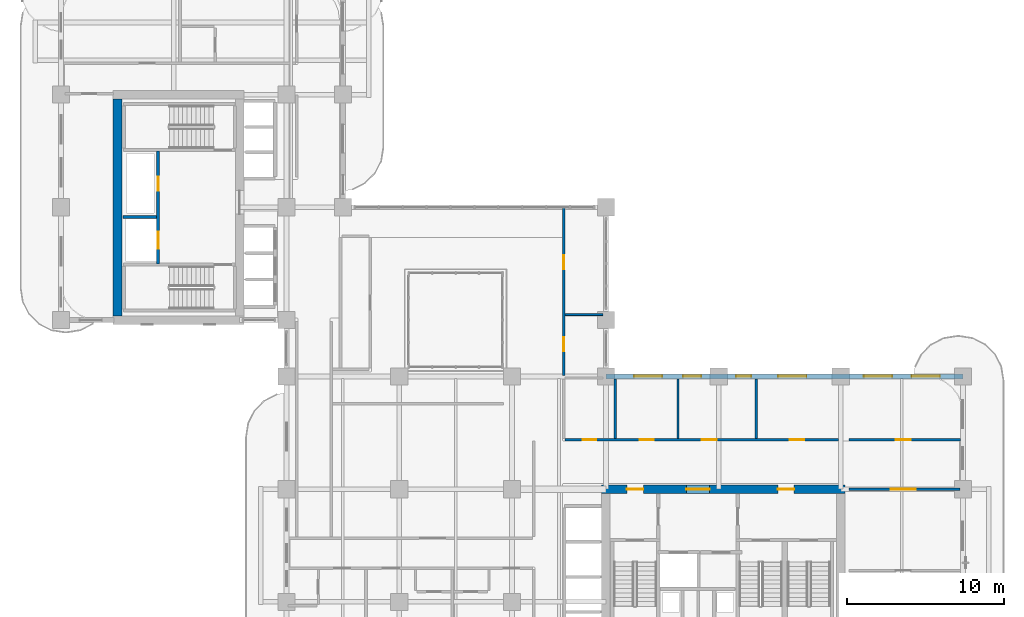
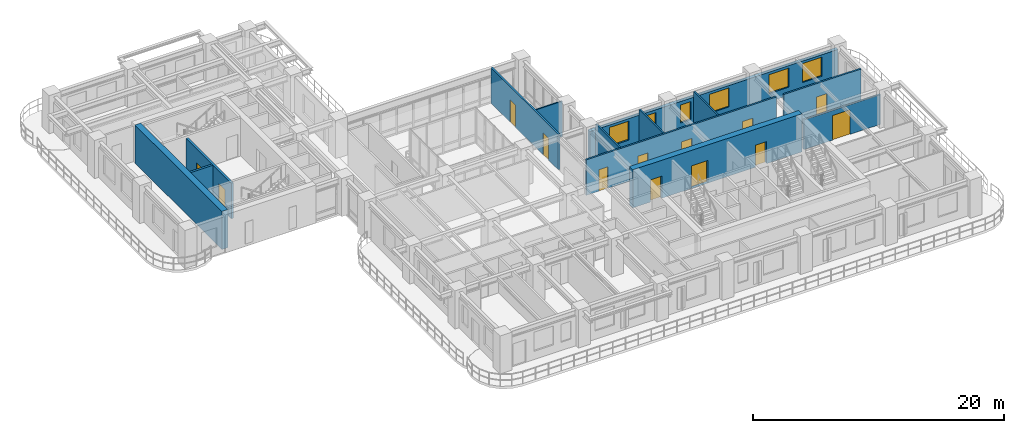
# One storey, part 15 of 22: 13 doors, 13 walls, 6 windows, 19 openings.
"""IFC4 building model written with IfcOpenShell, lengths in metres."""

from ifc_helpers import new_model, si_unit, derived_unit, direction, frame, frame_2d, origin, place, context, subcontext, project, spatial, rectangle, extrude, source, transform, mapped, material, layer, layer_set, type_object, type_shapes, element, fill, save


model = new_model("IFC4")

# Units and contexts
model_context = context("Model", 3, precision=1e-05, world=origin(), true_north=direction((0.0, 1.0)))
body_context = subcontext(model_context, "Body", "Model", "MODEL_VIEW")
ifc_project = project(units=[si_unit("LENGTHUNIT", "METRE"), si_unit("AREAUNIT", "SQUARE_METRE"), si_unit("VOLUMEUNIT", "CUBIC_METRE"), si_unit("PLANEANGLEUNIT", "RADIAN"), si_unit("MASSUNIT", "GRAM", prefix="KILO"), si_unit("THERMODYNAMICTEMPERATUREUNIT", "KELVIN"), si_unit("POWERUNIT", "WATT"), derived_unit("THERMALTRANSMITTANCEUNIT", [(si_unit("POWERUNIT", "WATT"), 1), (si_unit("AREAUNIT", "SQUARE_METRE"), -1), (si_unit("THERMODYNAMICTEMPERATUREUNIT", "KELVIN"), -1)])], contexts=[model_context])

# Site, building, storey
site_placement = place(None, origin())
site = spatial("IfcSite", under=ifc_project, at=site_placement, CompositionType="ELEMENT")
building_placement = place(site_placement, origin())
building = spatial("IfcBuilding", under=site, at=building_placement, Name="Zahravan Archway Hotel and Residences", CompositionType="ELEMENT")
storey_placement = place(building_placement, frame((0.0, 0.0, 76.800048828125)))
storey = spatial("IfcBuildingStorey", under=building, at=storey_placement, Name="L18", CompositionType="ELEMENT", Elevation=76.800048828125)

# Wall, openings, doors
ifc_material_1 = material(Name="Concrete C70/85", Category="concrete")
ifc_layer_1 = layer(ifc_material_1, 0.550048828125, Name="Concrete C70/85", Category="concrete")
ifc_layer_set_1 = layer_set([ifc_layer_1], Name="Concrete C70/85")
wall_type_1 = type_object("IfcWallType", Name="CW-CORE-550", PredefinedType="SHEAR", material=ifc_layer_set_1)
wall_1_placement = place(storey_placement, frame((34.52490234375, 14.39990234375, 0.0), z_axis=(0.0, 0.0, 1.0), x_axis=(1.0, 0.0, 0.0)))
wall_1 = element("IfcWall", 1, at=wall_1_placement, inside=storey, type_object=wall_type_1, Name="L18 Core A Shear N Wall 550 mm", PredefinedType="SHEAR", context=body_context, shape_type="SweptSolid", body=[
    extrude(rectangle(XDim=15.550048828125, YDim=0.550048828125, at=frame_2d((7.77490234375, 0.0))), origin(), (0.0, 0.0, 1.0), 3.699951171875),
])
opening_1_placement = place(wall_1_placement, frame((5.405029296875, 0.0, 0.0)))
opening_1 = element("IfcOpeningElement", 2, at=opening_1_placement, cuts=wall_1, Name="Opening FD-L1", PredefinedType="OPENING", context=body_context, shape_type="SweptSolid", body=[
    extrude(rectangle(XDim=1.5, YDim=2.199951171875, at=frame_2d((0.75, 1.10009765625))), frame((0.0, 0.28515625, 0.0), z_axis=(0.0, -1.0, 0.0), x_axis=(1.0, 0.0, 0.0)), (0.0, 0.0, 1.0), 0.570068359375),
])
opening_2_placement = place(wall_1_placement, frame((1.6201171875, 0.0, 0.0)))
opening_2 = element("IfcOpeningElement", 3, at=opening_2_placement, cuts=wall_1, Name="Opening FD-L2", PredefinedType="OPENING", context=body_context, shape_type="SweptSolid", body=[
    extrude(rectangle(XDim=1.050048828125, YDim=2.14990234375, at=frame_2d((0.52490234375, 1.074951171875))), frame((0.0, 0.28515625, 0.0), z_axis=(0.0, -1.0, 0.0), x_axis=(1.0, 0.0, 0.0)), (0.0, 0.0, 1.0), 0.570068359375),
])
opening_3_placement = place(wall_1_placement, frame((11.25, 0.0, 0.0)))
opening_3 = element("IfcOpeningElement", 4, at=opening_3_placement, cuts=wall_1, Name="Opening FD-L2", PredefinedType="OPENING", context=body_context, shape_type="SweptSolid", body=[
    extrude(rectangle(XDim=1.050048828125, YDim=2.14990234375, at=frame_2d((0.52490234375, 1.074951171875))), frame((0.0, 0.28515625, 0.0), z_axis=(0.0, -1.0, 0.0), x_axis=(1.0, 0.0, 0.0)), (0.0, 0.0, 1.0), 0.570068359375),
])
ifc_material_2 = material(Name="Fire-Rated Painted Steel", Category="steel")
door_type_1 = type_object("IfcDoorType", Name="FD-LOBBY-1100", OperationType="NOTDEFINED", PredefinedType="DOOR", material=ifc_material_2)
shared_shape_1 = source(origin(), body_context, "Body", "SweptSolid", [
    extrude(rectangle(XDim=1.050048828125, YDim=2.14990234375, at=frame_2d((0.52490234375, 1.074951171875))), frame((0.0, 0.02490234375, 0.0), z_axis=(0.0, -1.0, 0.0), x_axis=(1.0, 0.0, 0.0)), (0.0, 0.0, 1.0), 0.050048828125),
])
type_shapes(door_type_1, [shared_shape_1])
door_1_placement = place(opening_2_placement, origin())
door_1 = element("IfcDoor", 5, at=door_1_placement, inside=storey, type_object=door_type_1, Name="L18 Core A West Stair Lobby Door", OperationType="SINGLE_SWING_RIGHT", OverallHeight=2.14990234375, OverallWidth=1.050048828125, PredefinedType="DOOR", context=body_context, shape_type="MappedRepresentation", body=[
    mapped(shared_shape_1, transform((0.0, 0.0, 0.0), scale=1.0)),
])
fill(opening_2, door_1)
door_2_placement = place(opening_3_placement, origin())
door_2 = element("IfcDoor", 6, at=door_2_placement, inside=storey, type_object=door_type_1, Name="L18 Core A East Stair Lobby Door", OperationType="SINGLE_SWING_LEFT", OverallHeight=2.14990234375, OverallWidth=1.050048828125, PredefinedType="DOOR", context=body_context, shape_type="MappedRepresentation", body=[
    mapped(shared_shape_1, transform((0.0, 0.0, 0.0), scale=1.0)),
])
fill(opening_3, door_2)
door_type_2 = type_object("IfcDoorType", Name="FD-LOBBY-1500", OperationType="DOUBLE_DOOR_SINGLE_SWING", PredefinedType="DOOR", material=ifc_material_2)
shared_shape_2 = source(origin(), body_context, "Body", "SweptSolid", [
    extrude(rectangle(XDim=1.5, YDim=2.199951171875, at=frame_2d((0.75, 1.10009765625))), frame((0.0, 0.02490234375, 0.0), z_axis=(0.0, -1.0, 0.0), x_axis=(1.0, 0.0, 0.0)), (0.0, 0.0, 1.0), 0.050048828125),
])
type_shapes(door_type_2, [shared_shape_2])
door_3_placement = place(opening_1_placement, origin())
door_3 = element("IfcDoor", 7, at=door_3_placement, inside=storey, type_object=door_type_2, Name="L18 Core A FSAE Lobby Main Door", OperationType="DOUBLE_DOOR_SINGLE_SWING", OverallHeight=2.199951171875, OverallWidth=1.5, PredefinedType="DOOR", context=body_context, shape_type="MappedRepresentation", body=[
    mapped(shared_shape_2, transform((0.0, 0.0, 0.0), scale=1.0)),
])
fill(opening_1, door_3)

# Wall
wall_2_placement = place(storey_placement, frame((3.60009765625, 25.47509765625, 0.0), z_axis=(0.0, 0.0, 1.0), x_axis=(0.0, 1.0, 0.0)))
element("IfcWall", 8, at=wall_2_placement, inside=storey, type_object=wall_type_1, Name="L18 Core B Shear W Wall 550 mm", PredefinedType="SHEAR", context=body_context, shape_type="SweptSolid", body=[
    extrude(rectangle(XDim=13.849853515625, YDim=0.550048828125, at=frame_2d((6.9248046875, 0.0))), origin(), (0.0, 0.0, 1.0), 3.699951171875),
])

# Wall, openings, windows
ifc_material_3 = material(Name="Agra Buff Sandstone & Insulated Backup", Category="masonry")
ifc_layer_2 = layer(ifc_material_3, 0.320068359375, Name="Agra Buff Sandstone & Insulated Backup", Category="masonry")
ifc_layer_set_2 = layer_set([ifc_layer_2], Name="Agra Buff Sandstone & Insulated Backup")
wall_type_2 = type_object("IfcWallType", Name="EW-SAND-320", PredefinedType="SOLIDWALL", material=ifc_layer_set_2)
wall_3_placement = place(storey_placement, frame((34.800048828125, 21.60009765625, 0.0), z_axis=(0.0, 0.0, 1.0), x_axis=(1.0, 0.0, 0.0)))
wall_3 = element("IfcWall", 9, at=wall_3_placement, inside=storey, type_object=wall_type_2, Name="L18 Exterior Sandstone Wall WA-NE", PredefinedType="SOLIDWALL", context=body_context, shape_type="SweptSolid", body=[
    extrude(rectangle(XDim=22.800048828125, YDim=0.320068359375, at=frame_2d((11.39990234375, 0.0))), origin(), (0.0, 0.0, 1.0), 2.885009765625),
])
opening_4_placement = place(wall_3_placement, frame((1.7958984375, 0.0, 0.800048828125)))
opening_4 = element("IfcOpeningElement", 10, at=opening_4_placement, cuts=wall_3, Name="Opening W-02", PredefinedType="OPENING", context=body_context, shape_type="SweptSolid", body=[
    extrude(rectangle(XDim=1.800048828125, YDim=1.85009765625, at=frame_2d((0.89990234375, 0.925048828125))), frame((0.0, 0.169921875, 0.0), z_axis=(0.0, -1.0, 0.0), x_axis=(1.0, 0.0, 0.0)), (0.0, 0.0, 1.0), 0.340087890625),
])
opening_5_placement = place(wall_3_placement, frame((4.928955078125, 0.0, 0.800048828125)))
opening_5 = element("IfcOpeningElement", 11, at=opening_5_placement, cuts=wall_3, Name="Opening W-05", PredefinedType="OPENING", context=body_context, shape_type="SweptSolid", body=[
    extrude(rectangle(XDim=1.14990234375, YDim=1.800048828125, at=frame_2d((0.574951171875, 0.89990234375))), frame((0.0, 0.169921875, 0.0), z_axis=(0.0, -1.0, 0.0), x_axis=(1.0, 0.0, 0.0)), (0.0, 0.0, 1.0), 0.340087890625),
])
opening_6_placement = place(wall_3_placement, frame((8.321044921875, 0.0, 0.800048828125)))
opening_6 = element("IfcOpeningElement", 12, at=opening_6_placement, cuts=wall_3, Name="Opening W-04", PredefinedType="OPENING", context=body_context, shape_type="SweptSolid", body=[
    extrude(rectangle(XDim=0.949951171875, YDim=1.75, at=frame_2d((0.47509765625, 0.875))), frame((0.0, 0.169921875, 0.0), z_axis=(0.0, -1.0, 0.0), x_axis=(1.0, 0.0, 0.0)), (0.0, 0.0, 1.0), 0.340087890625),
])
opening_7_placement = place(wall_3_placement, frame((11.00390625, 0.0, 0.800048828125)))
opening_7 = element("IfcOpeningElement", 13, at=opening_7_placement, cuts=wall_3, Name="Opening W-02", PredefinedType="OPENING", context=body_context, shape_type="SweptSolid", body=[
    extrude(rectangle(XDim=1.800048828125, YDim=1.85009765625, at=frame_2d((0.89990234375, 0.925048828125))), frame((0.0, 0.169921875, 0.0), z_axis=(0.0, -1.0, 0.0), x_axis=(1.0, 0.0, 0.0)), (0.0, 0.0, 1.0), 0.340087890625),
])
opening_8_placement = place(wall_3_placement, frame((16.47509765625, 0.0, 0.800048828125)))
opening_8 = element("IfcOpeningElement", 14, at=opening_8_placement, cuts=wall_3, Name="Opening W-02", PredefinedType="OPENING", context=body_context, shape_type="SweptSolid", body=[
    extrude(rectangle(XDim=1.800048828125, YDim=1.85009765625, at=frame_2d((0.89990234375, 0.925048828125))), frame((0.0, 0.169921875, 0.0), z_axis=(0.0, -1.0, 0.0), x_axis=(1.0, 0.0, 0.0)), (0.0, 0.0, 1.0), 0.340087890625),
])
opening_9_placement = place(wall_3_placement, frame((19.52490234375, 0.0, 0.800048828125)))
opening_9 = element("IfcOpeningElement", 15, at=opening_9_placement, cuts=wall_3, Name="Opening W-02", PredefinedType="OPENING", context=body_context, shape_type="SweptSolid", body=[
    extrude(rectangle(XDim=1.800048828125, YDim=1.85009765625, at=frame_2d((0.89990234375, 0.925048828125))), frame((0.0, 0.169921875, 0.0), z_axis=(0.0, -1.0, 0.0), x_axis=(1.0, 0.0, 0.0)), (0.0, 0.0, 1.0), 0.340087890625),
])
ifc_material_4 = material(Name="Bronze-Anodized Thermal-Break Aluminium & Low-E Glass", Category="aluminium")
window_type_1 = type_object("IfcWindowType", Name="WIN-NAR-950", PartitioningType="SINGLE_PANEL", PredefinedType="WINDOW", material=ifc_material_4)
shared_shape_3 = source(origin(), body_context, "Body", "SweptSolid", [
    extrude(rectangle(XDim=0.949951171875, YDim=1.75, at=frame_2d((0.47509765625, 0.875))), frame((0.0, 0.030029296875, 0.0), z_axis=(0.0, -1.0, 0.0), x_axis=(1.0, 0.0, 0.0)), (0.0, 0.0, 1.0), 0.06005859375),
])
type_shapes(window_type_1, [shared_shape_3])
window_1_placement = place(opening_6_placement, origin())
window_1 = element("IfcWindow", 16, at=window_1_placement, inside=storey, type_object=window_type_1, Name="L18 Loggia Window 19", OverallHeight=1.75, OverallWidth=0.949951171875, PartitioningType="SINGLE_PANEL", PredefinedType="WINDOW", context=body_context, shape_type="MappedRepresentation", body=[
    mapped(shared_shape_3, transform((0.0, 0.0, 0.0), scale=1.0)),
])
fill(opening_6, window_1)
window_type_2 = type_object("IfcWindowType", Name="WIN-TWR-1800", PartitioningType="DOUBLE_PANEL_VERTICAL", PredefinedType="WINDOW", material=ifc_material_4)
shared_shape_4 = source(origin(), body_context, "Body", "SweptSolid", [
    extrude(rectangle(XDim=1.800048828125, YDim=1.85009765625, at=frame_2d((0.89990234375, 0.925048828125))), frame((0.0, 0.030029296875, 0.0), z_axis=(0.0, -1.0, 0.0), x_axis=(1.0, 0.0, 0.0)), (0.0, 0.0, 1.0), 0.06005859375),
])
type_shapes(window_type_2, [shared_shape_4])
window_2_placement = place(opening_4_placement, origin())
window_2 = element("IfcWindow", 17, at=window_2_placement, inside=storey, type_object=window_type_2, Name="L18 Loggia Window 17", OverallHeight=1.85009765625, OverallWidth=1.800048828125, PartitioningType="DOUBLE_PANEL_VERTICAL", PredefinedType="WINDOW", context=body_context, shape_type="MappedRepresentation", body=[
    mapped(shared_shape_4, transform((0.0, 0.0, 0.0), scale=1.0)),
])
fill(opening_4, window_2)
window_3_placement = place(opening_7_placement, origin())
window_3 = element("IfcWindow", 18, at=window_3_placement, inside=storey, type_object=window_type_2, Name="L18 Loggia Window 20", OverallHeight=1.85009765625, OverallWidth=1.800048828125, PartitioningType="DOUBLE_PANEL_VERTICAL", PredefinedType="WINDOW", context=body_context, shape_type="MappedRepresentation", body=[
    mapped(shared_shape_4, transform((0.0, 0.0, 0.0), scale=1.0)),
])
fill(opening_7, window_3)
window_4_placement = place(opening_8_placement, origin())
window_4 = element("IfcWindow", 19, at=window_4_placement, inside=storey, type_object=window_type_2, Name="L18 Loggia Window 21", OverallHeight=1.85009765625, OverallWidth=1.800048828125, PartitioningType="DOUBLE_PANEL_VERTICAL", PredefinedType="WINDOW", context=body_context, shape_type="MappedRepresentation", body=[
    mapped(shared_shape_4, transform((0.0, 0.0, 0.0), scale=1.0)),
])
fill(opening_8, window_4)
window_5_placement = place(opening_9_placement, origin())
window_5 = element("IfcWindow", 20, at=window_5_placement, inside=storey, type_object=window_type_2, Name="L18 Loggia Window 22", OverallHeight=1.85009765625, OverallWidth=1.800048828125, PartitioningType="DOUBLE_PANEL_VERTICAL", PredefinedType="WINDOW", context=body_context, shape_type="MappedRepresentation", body=[
    mapped(shared_shape_4, transform((0.0, 0.0, 0.0), scale=1.0)),
])
fill(opening_9, window_5)
window_type_3 = type_object("IfcWindowType", Name="WIN-TWR-1150", PartitioningType="SINGLE_PANEL", PredefinedType="WINDOW", material=ifc_material_4)
shared_shape_5 = source(origin(), body_context, "Body", "SweptSolid", [
    extrude(rectangle(XDim=1.14990234375, YDim=1.800048828125, at=frame_2d((0.574951171875, 0.89990234375))), frame((0.0, 0.030029296875, 0.0), z_axis=(0.0, -1.0, 0.0), x_axis=(1.0, 0.0, 0.0)), (0.0, 0.0, 1.0), 0.06005859375),
])
type_shapes(window_type_3, [shared_shape_5])
window_6_placement = place(opening_5_placement, origin())
window_6 = element("IfcWindow", 21, at=window_6_placement, inside=storey, type_object=window_type_3, Name="L18 Loggia Window 18", OverallHeight=1.800048828125, OverallWidth=1.14990234375, PartitioningType="SINGLE_PANEL", PredefinedType="WINDOW", context=body_context, shape_type="MappedRepresentation", body=[
    mapped(shared_shape_5, transform((0.0, 0.0, 0.0), scale=1.0)),
])
fill(opening_5, window_6)

# Wall, openings, doors
ifc_material_5 = material(Name="Fire-Rated Gypsum & Concrete Block", Category="concrete")
ifc_layer_3 = layer(ifc_material_5, 0.159912109375, Name="Fire-Rated Gypsum & Concrete Block", Category="concrete")
ifc_layer_set_3 = layer_set([ifc_layer_3], Name="Fire-Rated Gypsum & Concrete Block")
wall_type_3 = type_object("IfcWallType", Name="PW-CORR-160", PredefinedType="PARTITIONING", material=ifc_layer_set_3)
wall_4_placement = place(storey_placement, frame((32.18994140625, 17.550048828125, 0.0), z_axis=(0.0, 0.0, 1.0), x_axis=(1.0, 0.0, 0.0)))
wall_4 = element("IfcWall", 22, at=wall_4_placement, inside=storey, type_object=wall_type_3, Name="L18 Partition WA-FN", PredefinedType="PARTITIONING", context=body_context, shape_type="SweptSolid", body=[
    extrude(rectangle(XDim=17.469970703125, YDim=0.159912109375, at=frame_2d((8.73486328125, 0.0))), origin(), (0.0, 0.0, 1.0), 3.449951171875),
])
opening_10_placement = place(wall_4_placement, frame((1.135009765625, 0.0, 0.0)))
opening_10 = element("IfcOpeningElement", 23, at=opening_10_placement, cuts=wall_4, Name="Opening D-B1", PredefinedType="OPENING", context=body_context, shape_type="SweptSolid", body=[
    extrude(rectangle(XDim=0.85009765625, YDim=2.10009765625, at=frame_2d((0.425048828125, 1.050048828125))), frame((0.0, 0.08984375, 0.0), z_axis=(0.0, -1.0, 0.0), x_axis=(1.0, 0.0, 0.0)), (0.0, 0.0, 1.0), 0.179931640625),
])
opening_11_placement = place(wall_4_placement, frame((4.760009765625, 0.0, 0.0)))
opening_11 = element("IfcOpeningElement", 24, at=opening_11_placement, cuts=wall_4, Name="Opening D-I2", PredefinedType="OPENING", context=body_context, shape_type="SweptSolid", body=[
    extrude(rectangle(XDim=0.89990234375, YDim=2.14990234375, at=frame_2d((0.449951171875, 1.074951171875))), frame((0.0, 0.08984375, 0.0), z_axis=(0.0, -1.0, 0.0), x_axis=(1.0, 0.0, 0.0)), (0.0, 0.0, 1.0), 0.179931640625),
])
opening_12_placement = place(wall_4_placement, frame((8.735107421875, 0.0, 0.0)))
opening_12 = element("IfcOpeningElement", 25, at=opening_12_placement, cuts=wall_4, Name="Opening D-I1", PredefinedType="OPENING", context=body_context, shape_type="SweptSolid", body=[
    extrude(rectangle(XDim=0.949951171875, YDim=2.14990234375, at=frame_2d((0.47509765625, 1.074951171875))), frame((0.0, 0.08984375, 0.0), z_axis=(0.0, -1.0, 0.0), x_axis=(1.0, 0.0, 0.0)), (0.0, 0.0, 1.0), 0.179931640625),
])
opening_13_placement = place(wall_4_placement, frame((14.3349609375, 0.0, 0.0)))
opening_13 = element("IfcOpeningElement", 26, at=opening_13_placement, cuts=wall_4, Name="Opening D-I1", PredefinedType="OPENING", context=body_context, shape_type="SweptSolid", body=[
    extrude(rectangle(XDim=0.949951171875, YDim=2.14990234375, at=frame_2d((0.47509765625, 1.074951171875))), frame((0.0, 0.08984375, 0.0), z_axis=(0.0, -1.0, 0.0), x_axis=(1.0, 0.0, 0.0)), (0.0, 0.0, 1.0), 0.179931640625),
])
ifc_material_6 = material(Name="Hardwood Veneer Timber", Category="wood")
door_type_3 = type_object("IfcDoorType", Name="ID-BATH-850", OperationType="NOTDEFINED", PredefinedType="DOOR", material=ifc_material_6)
shared_shape_6 = source(origin(), body_context, "Body", "SweptSolid", [
    extrude(rectangle(XDim=0.85009765625, YDim=2.10009765625, at=frame_2d((0.425048828125, 1.050048828125))), frame((0.0, 0.02490234375, 0.0), z_axis=(0.0, -1.0, 0.0), x_axis=(1.0, 0.0, 0.0)), (0.0, 0.0, 1.0), 0.050048828125),
])
type_shapes(door_type_3, [shared_shape_6])
door_4_placement = place(opening_10_placement, origin())
door_4 = element("IfcDoor", 27, at=door_4_placement, inside=storey, type_object=door_type_3, Name="L18 Accessible WC Door", OperationType="SINGLE_SWING_RIGHT", OverallHeight=2.10009765625, OverallWidth=0.85009765625, PredefinedType="DOOR", context=body_context, shape_type="MappedRepresentation", body=[
    mapped(shared_shape_6, transform((0.0, 0.0, 0.0), scale=1.0)),
])
fill(opening_10, door_4)
door_type_4 = type_object("IfcDoorType", Name="ID-INT-950", OperationType="NOTDEFINED", PredefinedType="DOOR", material=ifc_material_6)
shared_shape_7 = source(origin(), body_context, "Body", "SweptSolid", [
    extrude(rectangle(XDim=0.949951171875, YDim=2.14990234375, at=frame_2d((0.47509765625, 1.074951171875))), frame((0.0, 0.02490234375, 0.0), z_axis=(0.0, -1.0, 0.0), x_axis=(1.0, 0.0, 0.0)), (0.0, 0.0, 1.0), 0.050048828125),
])
type_shapes(door_type_4, [shared_shape_7])
door_5_placement = place(opening_12_placement, origin())
door_5 = element("IfcDoor", 28, at=door_5_placement, inside=storey, type_object=door_type_4, Name="L18 Boardroom Door", OperationType="SINGLE_SWING_RIGHT", OverallHeight=2.14990234375, OverallWidth=0.949951171875, PredefinedType="DOOR", context=body_context, shape_type="MappedRepresentation", body=[
    mapped(shared_shape_7, transform((0.0, 0.0, 0.0), scale=1.0)),
])
fill(opening_12, door_5)
door_6_placement = place(opening_13_placement, origin())
door_6 = element("IfcDoor", 29, at=door_6_placement, inside=storey, type_object=door_type_4, Name="L18 Therapy Clinic Door", OperationType="SINGLE_SWING_LEFT", OverallHeight=2.14990234375, OverallWidth=0.949951171875, PredefinedType="DOOR", context=body_context, shape_type="MappedRepresentation", body=[
    mapped(shared_shape_7, transform((0.0, 0.0, 0.0), scale=1.0)),
])
fill(opening_13, door_6)
door_type_5 = type_object("IfcDoorType", Name="ID-INT-900", OperationType="NOTDEFINED", PredefinedType="DOOR", material=ifc_material_6)
shared_shape_8 = source(origin(), body_context, "Body", "SweptSolid", [
    extrude(rectangle(XDim=0.89990234375, YDim=2.14990234375, at=frame_2d((0.449951171875, 1.074951171875))), frame((0.0, 0.02490234375, 0.0), z_axis=(0.0, -1.0, 0.0), x_axis=(1.0, 0.0, 0.0)), (0.0, 0.0, 1.0), 0.050048828125),
])
type_shapes(door_type_5, [shared_shape_8])
door_7_placement = place(opening_11_placement, origin())
door_7 = element("IfcDoor", 30, at=door_7_placement, inside=storey, type_object=door_type_5, Name="L18 Pantry Door", OperationType="SINGLE_SWING_LEFT", OverallHeight=2.14990234375, OverallWidth=0.89990234375, PredefinedType="DOOR", context=body_context, shape_type="MappedRepresentation", body=[
    mapped(shared_shape_8, transform((0.0, 0.0, 0.0), scale=1.0)),
])
fill(opening_11, door_7)

# Wall, opening, door
wall_5_placement = place(storey_placement, frame((50.340087890625, 17.550048828125, 0.0), z_axis=(0.0, 0.0, 1.0), x_axis=(1.0, 0.0, 0.0)))
wall_5 = element("IfcWall", 31, at=wall_5_placement, inside=storey, type_object=wall_type_3, Name="L18 Partition EA-PN", PredefinedType="PARTITIONING", context=body_context, shape_type="SweptSolid", body=[
    extrude(rectangle(XDim=7.091796875, YDim=0.159912109375, at=frame_2d((3.5458984375, 0.0))), origin(), (0.0, 0.0, 1.0), 3.449951171875),
])
opening_14_placement = place(wall_5_placement, frame((2.985107421875, 0.0, 0.0)))
opening_14 = element("IfcOpeningElement", 32, at=opening_14_placement, cuts=wall_5, Name="Opening D-I1", PredefinedType="OPENING", context=body_context, shape_type="SweptSolid", body=[
    extrude(rectangle(XDim=0.949951171875, YDim=2.14990234375, at=frame_2d((0.47509765625, 1.074951171875))), frame((0.0, 0.08984375, 0.0), z_axis=(0.0, -1.0, 0.0), x_axis=(1.0, 0.0, 0.0)), (0.0, 0.0, 1.0), 0.179931640625),
])
door_8_placement = place(opening_14_placement, origin())
door_8 = element("IfcDoor", 33, at=door_8_placement, inside=storey, type_object=door_type_4, Name="L18 East Co-Working Office Door", OperationType="SINGLE_SWING_LEFT", OverallHeight=2.14990234375, OverallWidth=0.949951171875, PredefinedType="DOOR", context=body_context, shape_type="MappedRepresentation", body=[
    mapped(shared_shape_7, transform((0.0, 0.0, 0.0), scale=1.0)),
])
fill(opening_14, door_8)

# Wall
ifc_material_7 = material(Name="Acoustic Stud Partition")
ifc_layer_4 = layer(ifc_material_7, 0.125, Name="Acoustic Stud Partition")
ifc_layer_set_4 = layer_set([ifc_layer_4], Name="Acoustic Stud Partition")
wall_type_4 = type_object("IfcWallType", Name="PW-INT-125", PredefinedType="PARTITIONING", material=ifc_layer_set_4)
wall_6_placement = place(storey_placement, frame((32.18994140625, 25.550048828125, 0.0), z_axis=(0.0, 0.0, 1.0), x_axis=(1.0, 0.0, 0.0)))
element("IfcWall", 34, at=wall_6_placement, inside=storey, type_object=wall_type_4, Name="L18 Partition ATR-EM1", PredefinedType="PARTITIONING", context=body_context, shape_type="SweptSolid", body=[
    extrude(rectangle(XDim=2.420166015625, YDim=0.125, at=frame_2d((1.2099609375, 0.0))), origin(), (0.0, 0.0, 1.0), 3.449951171875),
])

# Wall, openings, doors
ifc_layer_5 = layer(ifc_material_5, 0.199951171875, Name="Fire-Rated Gypsum & Concrete Block", Category="concrete")
ifc_layer_set_5 = layer_set([ifc_layer_5], Name="Fire-Rated Gypsum & Concrete Block")
wall_type_5 = type_object("IfcWallType", Name="PW-SHAFT-200", PredefinedType="PARTITIONING", material=ifc_layer_set_5)
wall_7_placement = place(storey_placement, frame((6.199951171875, 28.7900390625, 0.0), z_axis=(0.0, 0.0, 1.0), x_axis=(0.0, 1.0, 0.0)))
wall_7 = element("IfcWall", 35, at=wall_7_placement, inside=storey, type_object=wall_type_5, Name="L18 Partition CB-FL3E", PredefinedType="PARTITIONING", context=body_context, shape_type="SweptSolid", body=[
    extrude(rectangle(XDim=7.219970703125, YDim=0.199951171875, at=frame_2d((3.60986328125, 0.0))), origin(), (0.0, 0.0, 1.0), 3.449951171875),
])
opening_15_placement = place(wall_7_placement, frame((4.659912109375, 0.0, 0.0)))
opening_15 = element("IfcOpeningElement", 36, at=opening_15_placement, cuts=wall_7, Name="Opening FD-R1", PredefinedType="OPENING", context=body_context, shape_type="SweptSolid", body=[
    extrude(rectangle(XDim=0.89990234375, YDim=2.10009765625, at=frame_2d((0.449951171875, 1.050048828125))), frame((0.0, 0.10986328125, 0.0), z_axis=(0.0, -1.0, 0.0), x_axis=(1.0, 0.0, 0.0)), (0.0, 0.0, 1.0), 0.219970703125),
])
opening_16_placement = place(wall_7_placement, frame((0.9599609375, 0.0, 0.0)))
opening_16 = element("IfcOpeningElement", 37, at=opening_16_placement, cuts=wall_7, Name="Opening LD", PredefinedType="OPENING", context=body_context, shape_type="SweptSolid", body=[
    extrude(rectangle(XDim=1.10009765625, YDim=2.199951171875, at=frame_2d((0.550048828125, 1.10009765625))), frame((0.0, 0.10986328125, 0.0), z_axis=(0.0, -1.0, 0.0), x_axis=(1.0, 0.0, 0.0)), (0.0, 0.0, 1.0), 0.219970703125),
])
door_type_6 = type_object("IfcDoorType", Name="FD-RISER-900", OperationType="NOTDEFINED", PredefinedType="DOOR", material=ifc_material_2)
shared_shape_9 = source(origin(), body_context, "Body", "SweptSolid", [
    extrude(rectangle(XDim=0.89990234375, YDim=2.10009765625, at=frame_2d((0.449951171875, 1.050048828125))), frame((0.0, 0.02490234375, 0.0), z_axis=(0.0, -1.0, 0.0), x_axis=(1.0, 0.0, 0.0)), (0.0, 0.0, 1.0), 0.050048828125),
])
type_shapes(door_type_6, [shared_shape_9])
door_9_placement = place(opening_15_placement, origin())
door_9 = element("IfcDoor", 38, at=door_9_placement, inside=storey, type_object=door_type_6, Name="L18 Core B Riser Door", OperationType="SINGLE_SWING_RIGHT", OverallHeight=2.10009765625, OverallWidth=0.89990234375, PredefinedType="DOOR", context=body_context, shape_type="MappedRepresentation", body=[
    mapped(shared_shape_9, transform((0.0, 0.0, 0.0), scale=1.0)),
])
fill(opening_15, door_9)
ifc_material_8 = material(Name="Brushed Stainless Steel", Category="steel")
door_type_7 = type_object("IfcDoorType", Name="DR-LIFT-LD", OperationType="SLIDING_TO_LEFT", PredefinedType="DOOR", material=ifc_material_8)
shared_shape_10 = source(origin(), body_context, "Body", "SweptSolid", [
    extrude(rectangle(XDim=1.10009765625, YDim=2.199951171875, at=frame_2d((0.550048828125, 1.10009765625))), frame((0.0, 0.02490234375, 0.0), z_axis=(0.0, -1.0, 0.0), x_axis=(1.0, 0.0, 0.0)), (0.0, 0.0, 1.0), 0.050048828125),
])
type_shapes(door_type_7, [shared_shape_10])
door_10_placement = place(opening_16_placement, origin())
door_10 = element("IfcDoor", 39, at=door_10_placement, inside=storey, type_object=door_type_7, Name="L18 Lift FL-3 Sliding Landing Door", OperationType="SLIDING_TO_LEFT", OverallHeight=2.199951171875, OverallWidth=1.10009765625, PredefinedType="DOOR", context=body_context, shape_type="MappedRepresentation", body=[
    mapped(shared_shape_10, transform((0.0, 0.0, 0.0), scale=1.0)),
])
fill(opening_16, door_10)

# Wall
wall_8_placement = place(storey_placement, frame((3.9599609375, 31.780029296875, 0.0), z_axis=(0.0, 0.0, 1.0), x_axis=(1.0, 0.0, 0.0)))
element("IfcWall", 40, at=wall_8_placement, inside=storey, type_object=wall_type_5, Name="L18 Partition CB-FL3N", PredefinedType="PARTITIONING", context=body_context, shape_type="SweptSolid", body=[
    extrude(rectangle(XDim=2.130126953125, YDim=0.199951171875, at=frame_2d((1.06494140625, 0.0))), origin(), (0.0, 0.0, 1.0), 3.449951171875),
])

# Wall, opening, door
ifc_layer_6 = layer(ifc_material_7, 0.169921875, Name="Acoustic Stud Partition")
ifc_layer_set_6 = layer_set([ifc_layer_6], Name="Acoustic Stud Partition")
wall_type_6 = type_object("IfcWallType", Name="PW-UNIT-170", PredefinedType="PARTITIONING", material=ifc_layer_set_6)
wall_9_placement = place(storey_placement, frame((50.340087890625, 14.39990234375, 0.0), z_axis=(0.0, 0.0, 1.0), x_axis=(1.0, 0.0, 0.0)))
wall_9 = element("IfcWall", 41, at=wall_9_placement, inside=storey, type_object=wall_type_6, Name="L18 Partition EA-PS", PredefinedType="PARTITIONING", context=body_context, shape_type="SweptSolid", body=[
    extrude(rectangle(XDim=7.06982421875, YDim=0.169921875, at=frame_2d((3.534912109375, 0.0))), origin(), (0.0, 0.0, 1.0), 2.885009765625),
])
opening_17_placement = place(wall_9_placement, frame((2.659912109375, 0.0, 0.0)))
opening_17 = element("IfcOpeningElement", 42, at=opening_17_placement, cuts=wall_9, Name="Opening D-P2", PredefinedType="OPENING", context=body_context, shape_type="SweptSolid", body=[
    extrude(rectangle(XDim=1.60009765625, YDim=2.39990234375, at=frame_2d((0.800048828125, 1.199951171875))), frame((0.0, 0.094970703125, 0.0), z_axis=(0.0, -1.0, 0.0), x_axis=(1.0, 0.0, 0.0)), (0.0, 0.0, 1.0), 0.18994140625),
])
ifc_material_9 = material(Name="Bronze-Anodized Glazed Aluminium", Category="aluminium")
door_type_8 = type_object("IfcDoorType", Name="ID-PUBLIC-1600", OperationType="DOUBLE_DOOR_SINGLE_SWING", PredefinedType="DOOR", material=ifc_material_9)
shared_shape_11 = source(origin(), body_context, "Body", "SweptSolid", [
    extrude(rectangle(XDim=1.60009765625, YDim=2.39990234375, at=frame_2d((0.800048828125, 1.199951171875))), frame((0.0, 0.02490234375, 0.0), z_axis=(0.0, -1.0, 0.0), x_axis=(1.0, 0.0, 0.0)), (0.0, 0.0, 1.0), 0.050048828125),
])
type_shapes(door_type_8, [shared_shape_11])
door_11_placement = place(opening_17_placement, origin())
door_11 = element("IfcDoor", 43, at=door_11_placement, inside=storey, type_object=door_type_8, Name="L18 East Banquet Dining Door", OperationType="DOUBLE_DOOR_SINGLE_SWING", OverallHeight=2.39990234375, OverallWidth=1.60009765625, PredefinedType="DOOR", context=body_context, shape_type="MappedRepresentation", body=[
    mapped(shared_shape_11, transform((0.0, 0.0, 0.0), scale=1.0)),
])
fill(opening_17, door_11)

# Wall, openings, doors
wall_10_placement = place(storey_placement, frame((32.10009765625, 21.669921875, 0.0), z_axis=(0.0, 0.0, 1.0), x_axis=(0.0, 1.0, 0.0)))
wall_10 = element("IfcWall", 44, at=wall_10_placement, inside=storey, type_object=wall_type_6, Name="L18 Partition ATR-E", PredefinedType="PARTITIONING", context=body_context, shape_type="SweptSolid", body=[
    extrude(rectangle(XDim=10.7021484375, YDim=0.169921875, at=frame_2d((5.35107421875, 0.0))), origin(), (0.0, 0.0, 1.0), 3.449951171875),
])
opening_18_placement = place(wall_10_placement, frame((1.530029296875, 0.0, 0.0)))
opening_18 = element("IfcOpeningElement", 45, at=opening_18_placement, cuts=wall_10, Name="Opening D-I2", PredefinedType="OPENING", context=body_context, shape_type="SweptSolid", body=[
    extrude(rectangle(XDim=0.89990234375, YDim=2.14990234375, at=frame_2d((0.449951171875, 1.074951171875))), frame((0.0, 0.094970703125, 0.0), z_axis=(0.0, -1.0, 0.0), x_axis=(1.0, 0.0, 0.0)), (0.0, 0.0, 1.0), 0.18994140625),
])
opening_19_placement = place(wall_10_placement, frame((6.780029296875, 0.0, 0.0)))
opening_19 = element("IfcOpeningElement", 46, at=opening_19_placement, cuts=wall_10, Name="Opening D-I2", PredefinedType="OPENING", context=body_context, shape_type="SweptSolid", body=[
    extrude(rectangle(XDim=0.89990234375, YDim=2.14990234375, at=frame_2d((0.449951171875, 1.074951171875))), frame((0.0, 0.094970703125, 0.0), z_axis=(0.0, -1.0, 0.0), x_axis=(1.0, 0.0, 0.0)), (0.0, 0.0, 1.0), 0.18994140625),
])
door_12_placement = place(opening_18_placement, origin())
door_12 = element("IfcDoor", 47, at=door_12_placement, inside=storey, type_object=door_type_5, Name="L18 Atrium Office Door", OperationType="SINGLE_SWING_LEFT", OverallHeight=2.14990234375, OverallWidth=0.89990234375, PredefinedType="DOOR", context=body_context, shape_type="MappedRepresentation", body=[
    mapped(shared_shape_8, transform((0.0, 0.0, 0.0), scale=1.0)),
])
fill(opening_18, door_12)
door_13_placement = place(opening_19_placement, origin())
door_13 = element("IfcDoor", 48, at=door_13_placement, inside=storey, type_object=door_type_5, Name="L18 Atrium Boardroom Door", OperationType="SINGLE_SWING_RIGHT", OverallHeight=2.14990234375, OverallWidth=0.89990234375, PredefinedType="DOOR", context=body_context, shape_type="MappedRepresentation", body=[
    mapped(shared_shape_8, transform((0.0, 0.0, 0.0), scale=1.0)),
])
fill(opening_19, door_13)

# Walls
ifc_material_10 = material(Name="Moisture-Resistant Blockwork", Category="masonry")
ifc_layer_7 = layer(ifc_material_10, 0.139892578125, Name="Moisture-Resistant Blockwork", Category="masonry")
ifc_layer_set_7 = layer_set([ifc_layer_7], Name="Moisture-Resistant Blockwork")
wall_type_7 = type_object("IfcWallType", Name="PW-WET-140", PredefinedType="PARTITIONING", material=ifc_layer_set_7)
for number, where, z_axis, x_axis, name in (
    (49, (35.39990234375, 17.639892578125, 0.0), (0.0, 0.0, 1.0), (0.0, 1.0, 0.0), "L18 Partition NE2-1"),
    (50, (39.39990234375, 17.639892578125, 0.0), (0.0, 0.0, 1.0), (0.0, 1.0, 0.0), "L18 Partition NE2-2"),
    (51, (44.39990234375, 17.639892578125, 0.0), (0.0, 0.0, 1.0), (0.0, 1.0, 0.0), "L18 Partition NE2-3"),
):
    element("IfcWall", number, at=place(storey_placement, frame(where, z_axis=z_axis, x_axis=x_axis)), inside=storey, type_object=wall_type_7, Name=name, PredefinedType="PARTITIONING", context=body_context, shape_type="SweptSolid", body=[
        extrude(rectangle(XDim=3.7919921875, YDim=0.139892578125, at=frame_2d((1.89599609375, 0.0))), origin(), (0.0, 0.0, 1.0), 3.449951171875),
    ])

save(model, "model.ifc")
